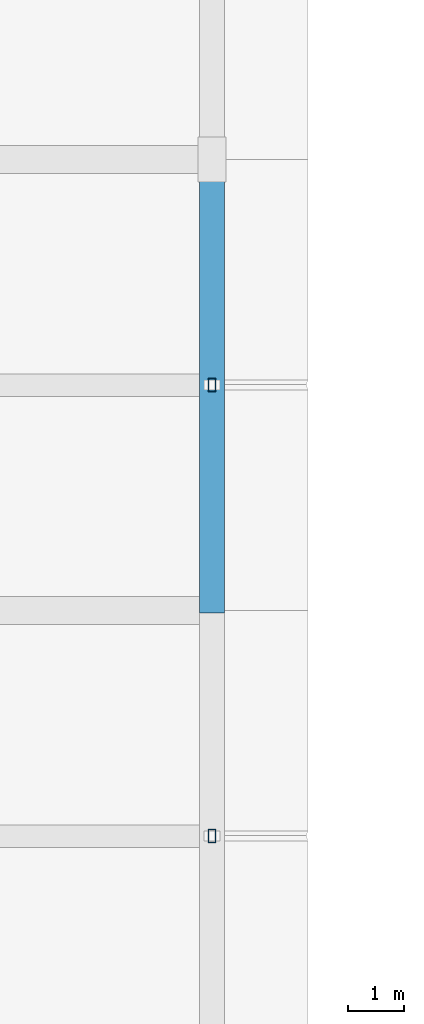
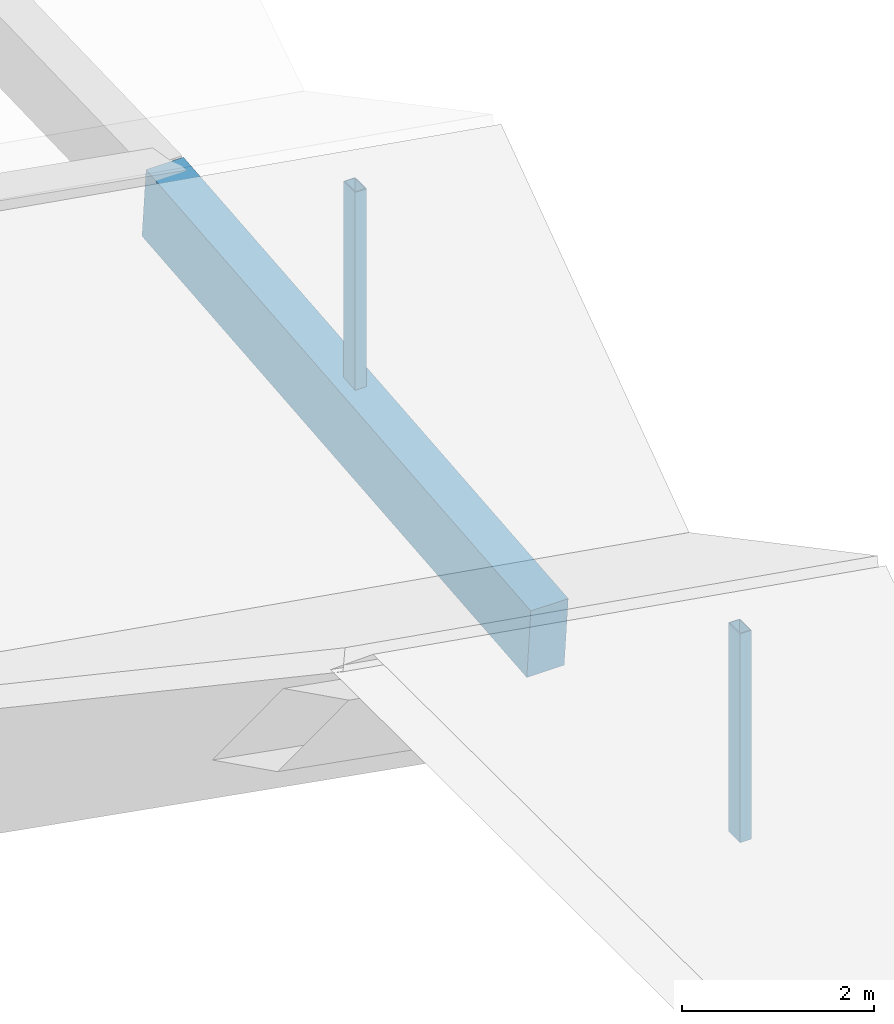
# One storey, part 25 of 109: 2 members, 1 beam.
"""IFC4 building model written with IfcOpenShell, lengths in metres."""

from ifc_helpers import new_model, si_unit, direction, frame, origin, origin_2d, place, context, subcontext, project, spatial, rectangle, hollow_rectangle, extrude, material, material_profile, profile_set, type_object, element, save


model = new_model("IFC4")

# Units and contexts
model_context = context("Model", 3, precision=1e-05, world=origin(), true_north=direction((0.0, 1.0)))
body_context = subcontext(model_context, "Body", "Model", "MODEL_VIEW")
ifc_project = project(units=[si_unit("LENGTHUNIT", "METRE"), si_unit("AREAUNIT", "SQUARE_METRE"), si_unit("VOLUMEUNIT", "CUBIC_METRE"), si_unit("PLANEANGLEUNIT", "RADIAN"), si_unit("MASSUNIT", "GRAM", prefix="KILO")], contexts=[model_context])

# Site, building, storey
site_placement = place(None, origin())
site = spatial("IfcSite", under=ifc_project, at=site_placement, CompositionType="ELEMENT")
building_placement = place(site_placement, origin())
building = spatial("IfcBuilding", under=site, at=building_placement, Name="Zavelmont Quarter", CompositionType="ELEMENT")
storey_placement = place(building_placement, frame((0.0, 0.0, 8.0)))
storey = spatial("IfcBuildingStorey", under=building, at=storey_placement, Name="L02", CompositionType="ELEMENT", Elevation=8.0)

# Beam
ifc_material_1 = material(Name="Concrete C40/50", Category="concrete")
ifc_material_profile_1 = material_profile(ifc_material_1, rectangle(XDim=0.449951171875, YDim=0.89990234375, at=origin_2d()), Name="RC450X900")
ifc_profile_set_1 = profile_set([ifc_material_profile_1], Name="Concrete C40/50")
beam_type = type_object("IfcBeamType", Name="BM06", PredefinedType="BEAM", material=ifc_profile_set_1)
beam_placement = place(storey_placement, frame((112.800048828125, 38.0, 0.0048828125), z_axis=(0.0, 0.995634226059, 0.093340708693), x_axis=(-1.0, 0.0, 0.0)))
element("IfcBeam", 1, at=beam_placement, inside=storey, type_object=beam_type, Name="L02 beam BM06 17/G to 17/H", PredefinedType="BEAM", context=body_context, shape_type="SweptSolid", body=[
    extrude(rectangle(XDim=0.449951171875, YDim=0.89990234375, at=origin_2d()), origin(), (0.0, 0.0, 1.0), 8.03515625),
])

# Members
ifc_material_2 = material(Name="Steel S355", Category="steel")
ifc_material_profile_2 = material_profile(ifc_material_2, hollow_rectangle(XDim=0.139892578125, YDim=0.239990234375, WallThickness=0.010009765625, at=origin_2d()), Name="RHS 240X140X10")
ifc_profile_set_2 = profile_set([ifc_material_profile_2], Name="Steel S355")
member_type = type_object("IfcMemberType", Name="CLM1", PredefinedType="CHORD", material=ifc_profile_set_2)
for number, where, z_axis, x_axis, name in (
    (2, (112.800048828125, 34.0, -0.070068359375), (0.0, 0.0, 1.0), (1.0, 0.0, 0.0), "L02 member CLM1 17/F to 17/F"),
    (3, (112.800048828125, 42.0, 0.679931640625), (0.0, 0.0, 1.0), (1.0, 0.0, 0.0), "L02 member CLM1 17/G to 17/G"),
):
    element("IfcMember", number, at=place(storey_placement, frame(where, z_axis=z_axis, x_axis=x_axis)), inside=storey, type_object=member_type, Name=name, PredefinedType="CHORD", context=body_context, shape_type="SweptSolid", body=[
        extrude(hollow_rectangle(XDim=0.139892578125, YDim=0.239990234375, WallThickness=0.010009765625, at=origin_2d()), origin(), (0.0, 0.0, 1.0), 2.650146484375),
    ])

save(model, "model.ifc")
